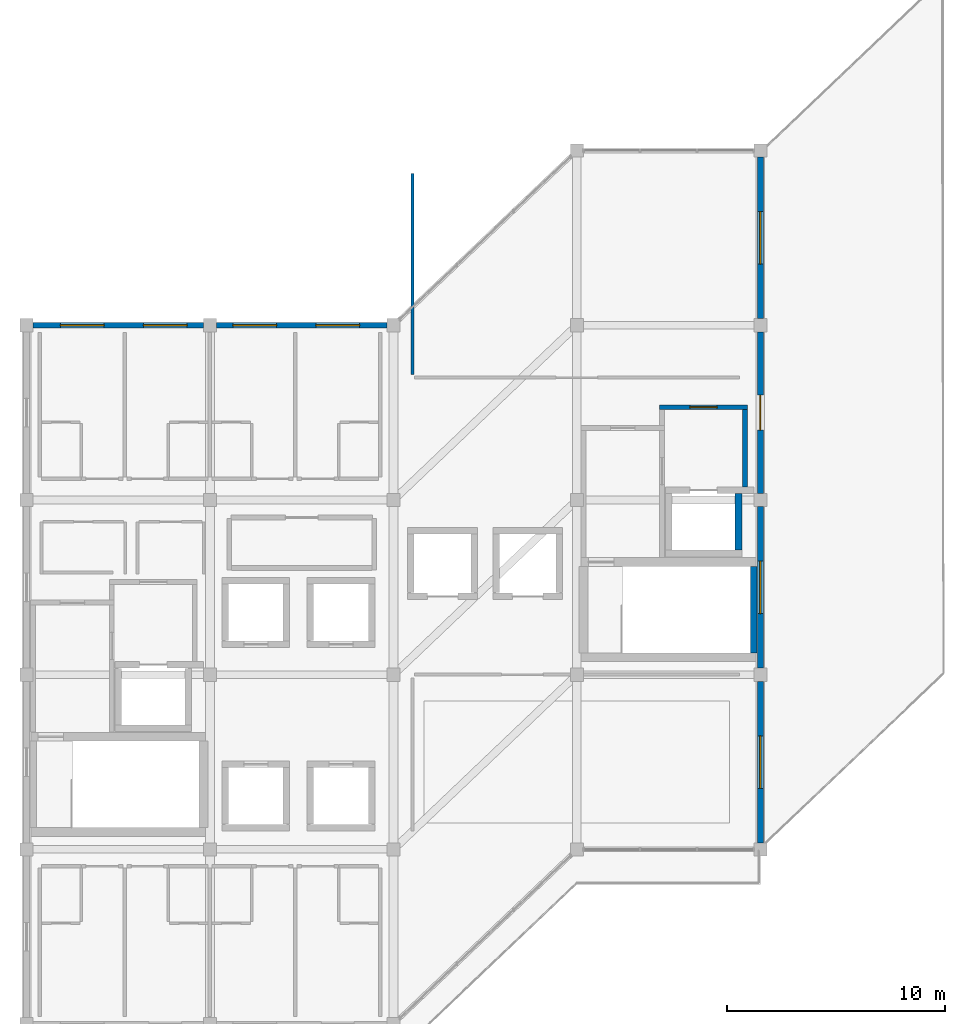
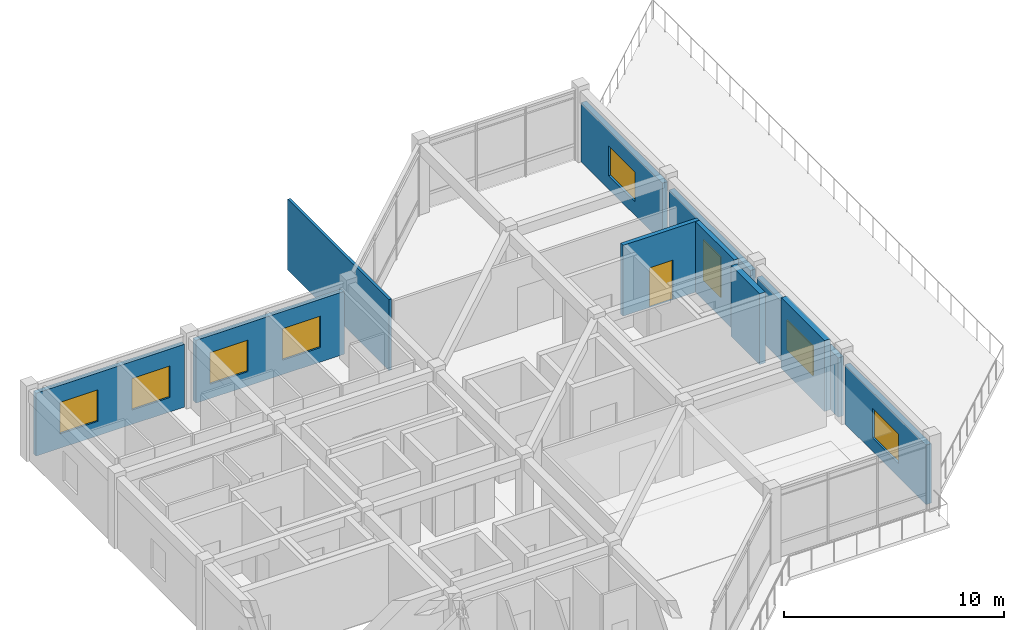
# One storey, part 10 of 11: 11 walls, 7 windows, 2 doors, 9 openings.
"""IFC4 building model written with IfcOpenShell, lengths in metres."""

from ifc_helpers import new_model, si_unit, direction, frame, frame_2d, origin, place, context, subcontext, project, spatial, rectangle, extrude, material, layer, layer_set, type_object, element, fill, save


model = new_model("IFC4")

# Units and contexts
model_context = context("Model", 3, precision=1e-05, world=origin(), true_north=direction((0.0, 1.0)))
body_context = subcontext(model_context, "Body", "Model", "MODEL_VIEW")
ifc_project = project(units=[si_unit("LENGTHUNIT", "METRE"), si_unit("AREAUNIT", "SQUARE_METRE"), si_unit("VOLUMEUNIT", "CUBIC_METRE"), si_unit("PLANEANGLEUNIT", "RADIAN"), si_unit("MASSUNIT", "GRAM", prefix="KILO")], contexts=[model_context])

# Site, building, storey
site_placement = place(None, origin())
site = spatial("IfcSite", under=ifc_project, at=site_placement, CompositionType="ELEMENT")
building_placement = place(site_placement, origin())
building = spatial("IfcBuilding", under=site, at=building_placement, Name="Naruveol Harbour Congress Hotel", CompositionType="ELEMENT")
storey_placement = place(building_placement, frame((0.0, 0.0, 47.39990234375)))
storey = spatial("IfcBuildingStorey", under=building, at=storey_placement, Name="L11", CompositionType="ELEMENT", Elevation=47.39990234375)

# Wall
ifc_material_1 = material(Name="Acoustic Double Stud Gypsum", Category="gypsum")
ifc_layer_1 = layer(ifc_material_1, 0.139892578125)
ifc_layer_set_1 = layer_set([ifc_layer_1], Name="Acoustic Double Stud Gypsum")
wall_type_1 = type_object("IfcWallType", Name="ACOUSTIC MEETING PARTITION WALL 140", PredefinedType="PARTITIONING", material=ifc_layer_set_1)
wall_1_placement = place(storey_placement, frame((143.679931640625, 29.739990234375, 0.0), z_axis=(0.0, 0.0, 1.0), x_axis=(0.0, 1.0, 0.0)))
element("IfcWall", 1, at=wall_1_placement, inside=storey, type_object=wall_type_1, Name="Harbour Sky Cocktail Lounge west partition PW-140", PredefinedType="PARTITIONING", context=body_context, shape_type="SweptSolid", body=[
    extrude(rectangle(XDim=9.2099609375, YDim=0.139892578125, at=frame_2d((4.60498046875, 0.0))), origin(), (0.0, 0.0, 1.0), 3.93505859375),
])

# Wall, opening, window
ifc_material_2 = material(Name="Precast concrete C40/50", Category="concrete")
ifc_layer_2 = layer(ifc_material_2, 0.280029296875)
ifc_layer_set_2 = layer_set([ifc_layer_2], Name="Precast concrete C40/50")
wall_type_2 = type_object("IfcWallType", Name="ARCHITECTURAL PRECAST FACADE WALL 280", PredefinedType="SOLIDWALL", material=ifc_layer_set_2)
wall_2_placement = place(storey_placement, frame((159.60009765625, 39.699951171875, 0.0), z_axis=(0.0, 0.0, 1.0), x_axis=(0.0, -1.0, 0.0)))
wall_2 = element("IfcWall", 2, at=wall_2_placement, inside=storey, type_object=wall_type_2, Name="Hotel east gable wall L11 EW-280", PredefinedType="SOLIDWALL", context=body_context, shape_type="SweptSolid", body=[
    extrude(rectangle(XDim=7.39990234375, YDim=0.280029296875, at=frame_2d((3.699951171875, 0.0))), origin(), (0.0, 0.0, 1.0), 3.300048828125),
])
opening_1_placement = place(wall_2_placement, frame((2.5, 0.0, 0.75)))
opening_1 = element("IfcOpeningElement", 3, at=opening_1_placement, cuts=wall_2, Name="Opening W-07", PredefinedType="OPENING", context=body_context, shape_type="SweptSolid", body=[
    extrude(rectangle(XDim=2.39990234375, YDim=1.64990234375, at=frame_2d((1.199951171875, 0.824951171875))), frame((0.0, 0.14990234375, 0.0), z_axis=(0.0, -1.0, 0.0), x_axis=(1.0, 0.0, 0.0)), (0.0, 0.0, 1.0), 0.300048828125),
])
ifc_material_3 = material(Name="Low-E Triple Glazing in Thermal Aluminium", Category="aluminium")
window_type_1 = type_object("IfcWindowType", Name="CORNER SUITE WINDOW 2400X1650", PartitioningType="DOUBLE_PANEL_VERTICAL", PredefinedType="WINDOW", material=ifc_material_3)
window_1_placement = place(opening_1_placement, origin())
window_1 = element("IfcWindow", 4, at=window_1_placement, inside=storey, type_object=window_type_1, Name="Window W-07 #511", OverallHeight=1.64990234375, OverallWidth=2.39990234375, PartitioningType="DOUBLE_PANEL_VERTICAL", PredefinedType="WINDOW", context=body_context, shape_type="SweptSolid", body=[
    extrude(rectangle(XDim=2.39990234375, YDim=1.64990234375, at=frame_2d((1.199951171875, 0.824951171875))), frame((0.0, 0.030029296875, 0.0), z_axis=(0.0, -1.0, 0.0), x_axis=(1.0, 0.0, 0.0)), (0.0, 0.0, 1.0), 0.06005859375),
])
fill(opening_1, window_1)

# Wall, opening, door
wall_3_placement = place(storey_placement, frame((159.60009765625, 31.699951171875, 0.0), z_axis=(0.0, 0.0, 1.0), x_axis=(0.0, -1.0, 0.0)))
wall_3 = element("IfcWall", 5, at=wall_3_placement, inside=storey, type_object=wall_type_2, Name="Hotel east gable wall L11 EW-280", PredefinedType="SOLIDWALL", context=body_context, shape_type="SweptSolid", body=[
    extrude(rectangle(XDim=7.39990234375, YDim=0.280029296875, at=frame_2d((3.699951171875, 0.0))), origin(), (0.0, 0.0, 1.0), 3.300048828125),
])
opening_2_placement = place(wall_3_placement, frame((2.89990234375, 0.0, 0.0)))
opening_2 = element("IfcOpeningElement", 6, at=opening_2_placement, cuts=wall_3, Name="Opening ED-TE-L11", PredefinedType="OPENING", context=body_context, shape_type="SweptSolid", body=[
    extrude(rectangle(XDim=1.60009765625, YDim=2.25, at=frame_2d((0.800048828125, 1.125))), frame((0.0, 0.14990234375, 0.0), z_axis=(0.0, -1.0, 0.0), x_axis=(1.0, 0.0, 0.0)), (0.0, 0.0, 1.0), 0.300048828125),
])
ifc_material_4 = material(Name="Powder-Coated Steel & Insulated Glazing", Category="steel")
door_type_1 = type_object("IfcDoorType", Name="HARBOUR GARDEN TERRACE DOOR 1600X2250", OperationType="DOUBLE_DOOR_SINGLE_SWING", PredefinedType="DOOR", material=ifc_material_4)
door_1_placement = place(opening_2_placement, origin())
door_1 = element("IfcDoor", 7, at=door_1_placement, inside=storey, type_object=door_type_1, Name="L11 East Harbour Terrace Door", OperationType="DOUBLE_DOOR_SINGLE_SWING", OverallHeight=2.25, OverallWidth=1.60009765625, PredefinedType="DOOR", context=body_context, shape_type="SweptSolid", body=[
    extrude(rectangle(XDim=1.60009765625, YDim=2.25, at=frame_2d((0.800048828125, 1.125))), frame((0.0, 0.02490234375, 0.0), z_axis=(0.0, -1.0, 0.0), x_axis=(1.0, 0.0, 0.0)), (0.0, 0.0, 1.0), 0.050048828125),
])
fill(opening_2, door_1)

# Wall, opening, window
wall_4_placement = place(storey_placement, frame((159.60009765625, 23.699951171875, 0.0), z_axis=(0.0, 0.0, 1.0), x_axis=(0.0, -1.0, 0.0)))
wall_4 = element("IfcWall", 8, at=wall_4_placement, inside=storey, type_object=wall_type_2, Name="Hotel east gable wall L11 EW-280", PredefinedType="SOLIDWALL", context=body_context, shape_type="SweptSolid", body=[
    extrude(rectangle(XDim=7.39990234375, YDim=0.280029296875, at=frame_2d((3.699951171875, 0.0))), origin(), (0.0, 0.0, 1.0), 3.300048828125),
])
opening_3_placement = place(wall_4_placement, frame((2.5, 0.0, 0.75)))
opening_3 = element("IfcOpeningElement", 9, at=opening_3_placement, cuts=wall_4, Name="Opening W-07", PredefinedType="OPENING", context=body_context, shape_type="SweptSolid", body=[
    extrude(rectangle(XDim=2.39990234375, YDim=1.64990234375, at=frame_2d((1.199951171875, 0.824951171875))), frame((0.0, 0.14990234375, 0.0), z_axis=(0.0, -1.0, 0.0), x_axis=(1.0, 0.0, 0.0)), (0.0, 0.0, 1.0), 0.300048828125),
])
window_2_placement = place(opening_3_placement, origin())
window_2 = element("IfcWindow", 10, at=window_2_placement, inside=storey, type_object=window_type_1, Name="Window W-07 #512", OverallHeight=1.64990234375, OverallWidth=2.39990234375, PartitioningType="DOUBLE_PANEL_VERTICAL", PredefinedType="WINDOW", context=body_context, shape_type="SweptSolid", body=[
    extrude(rectangle(XDim=2.39990234375, YDim=1.64990234375, at=frame_2d((1.199951171875, 0.824951171875))), frame((0.0, 0.030029296875, 0.0), z_axis=(0.0, -1.0, 0.0), x_axis=(1.0, 0.0, 0.0)), (0.0, 0.0, 1.0), 0.06005859375),
])
fill(opening_3, window_2)

wall_5_placement = place(storey_placement, frame((159.60009765625, 15.699951171875, 0.0), z_axis=(0.0, 0.0, 1.0), x_axis=(0.0, -1.0, 0.0)))
wall_5 = element("IfcWall", 11, at=wall_5_placement, inside=storey, type_object=wall_type_2, Name="Hotel east gable wall L11 EW-280", PredefinedType="SOLIDWALL", context=body_context, shape_type="SweptSolid", body=[
    extrude(rectangle(XDim=7.39990234375, YDim=0.280029296875, at=frame_2d((3.699951171875, 0.0))), origin(), (0.0, 0.0, 1.0), 3.300048828125),
])
opening_4_placement = place(wall_5_placement, frame((2.5, 0.0, 0.75)))
opening_4 = element("IfcOpeningElement", 12, at=opening_4_placement, cuts=wall_5, Name="Opening W-07", PredefinedType="OPENING", context=body_context, shape_type="SweptSolid", body=[
    extrude(rectangle(XDim=2.39990234375, YDim=1.64990234375, at=frame_2d((1.199951171875, 0.824951171875))), frame((0.0, 0.14990234375, 0.0), z_axis=(0.0, -1.0, 0.0), x_axis=(1.0, 0.0, 0.0)), (0.0, 0.0, 1.0), 0.300048828125),
])
window_3_placement = place(opening_4_placement, origin())
window_3 = element("IfcWindow", 13, at=window_3_placement, inside=storey, type_object=window_type_1, Name="Window W-07 #513", OverallHeight=1.64990234375, OverallWidth=2.39990234375, PartitioningType="DOUBLE_PANEL_VERTICAL", PredefinedType="WINDOW", context=body_context, shape_type="SweptSolid", body=[
    extrude(rectangle(XDim=2.39990234375, YDim=1.64990234375, at=frame_2d((1.199951171875, 0.824951171875))), frame((0.0, 0.030029296875, 0.0), z_axis=(0.0, -1.0, 0.0), x_axis=(1.0, 0.0, 0.0)), (0.0, 0.0, 1.0), 0.06005859375),
])
fill(opening_4, window_3)

# Wall
ifc_material_5 = material(Name="Concrete C40/50", Category="concrete")
ifc_layer_3 = layer(ifc_material_5, 0.219970703125)
ifc_layer_set_3 = layer_set([ifc_layer_3], Name="Concrete C40/50")
wall_type_3 = type_object("IfcWallType", Name="FIRE COMPARTMENT AND LOBBY WALL 220 EI120", PredefinedType="PARTITIONING", material=ifc_layer_set_3)
wall_6_placement = place(storey_placement, frame((158.89990234375, 24.60498046875, 0.0), z_axis=(0.0, 0.0, 1.0), x_axis=(0.0, 1.0, 0.0)))
element("IfcWall", 14, at=wall_6_placement, inside=storey, type_object=wall_type_3, Name="Firefighting lift lobby ST2 east wall FW-220", PredefinedType="PARTITIONING", context=body_context, shape_type="SweptSolid", body=[
    extrude(rectangle(XDim=3.530029296875, YDim=0.219970703125, at=frame_2d((1.76513671875, 0.0))), origin(), (0.0, 0.0, 1.0), 3.93505859375),
])

# Wall, opening, door
wall_7_placement = place(storey_placement, frame((154.989990234375, 28.25, 0.0), z_axis=(0.0, 0.0, 1.0), x_axis=(1.0, 0.0, 0.0)))
wall_7 = element("IfcWall", 15, at=wall_7_placement, inside=storey, type_object=wall_type_3, Name="Firefighting lift lobby ST2 north wall FW-220", PredefinedType="PARTITIONING", context=body_context, shape_type="SweptSolid", body=[
    extrude(rectangle(XDim=4.02001953125, YDim=0.219970703125, at=frame_2d((2.010009765625, 0.0))), origin(), (0.0, 0.0, 1.0), 3.93505859375),
])
opening_5_placement = place(wall_7_placement, frame((1.389892578125, 0.0, 0.0)))
opening_5 = element("IfcOpeningElement", 16, at=opening_5_placement, cuts=wall_7, Name="Opening FD-FFC-ST2-L11", PredefinedType="OPENING", context=body_context, shape_type="SweptSolid", body=[
    extrude(rectangle(XDim=1.239990234375, YDim=2.199951171875, at=frame_2d((0.6201171875, 1.10009765625))), frame((0.0, 0.119873046875, 0.0), z_axis=(0.0, -1.0, 0.0), x_axis=(1.0, 0.0, 0.0)), (0.0, 0.0, 1.0), 0.239990234375),
])
ifc_material_6 = material(Name="Timber & Steel Acoustic Leaf", Category="steel")
door_type_2 = type_object("IfcDoorType", Name="FIREFIGHTING LOBBY FIRE DOOR 1240X2200", OperationType="NOTDEFINED", PredefinedType="DOOR", material=ifc_material_6)
door_2_placement = place(opening_5_placement, origin())
door_2 = element("IfcDoor", 17, at=door_2_placement, inside=storey, type_object=door_type_2, Name="Firefighting Lobby Corridor Door ST2 L11", OperationType="SINGLE_SWING_LEFT", OverallHeight=2.199951171875, OverallWidth=1.239990234375, PredefinedType="DOOR", context=body_context, shape_type="SweptSolid", body=[
    extrude(rectangle(XDim=1.239990234375, YDim=2.199951171875, at=frame_2d((0.6201171875, 1.10009765625))), frame((0.0, 0.02490234375, 0.0), z_axis=(0.0, -1.0, 0.0), x_axis=(1.0, 0.0, 0.0)), (0.0, 0.0, 1.0), 0.050048828125),
])
fill(opening_5, door_2)

# Wall, openings, windows
ifc_material_7 = material(Name="Concrete C40/50", Category="concrete")
ifc_layer_4 = layer(ifc_material_7, 0.239990234375)
ifc_layer_set_4 = layer_set([ifc_layer_4], Name="Concrete C40/50")
wall_type_4 = type_object("IfcWallType", Name="INSULATED HOTEL SPANDREL WALL 240", PredefinedType="SOLIDWALL", material=ifc_layer_set_4)
wall_8_placement = place(storey_placement, frame((126.300048828125, 32.0, 0.0), z_axis=(0.0, 0.0, 1.0), x_axis=(1.0, 0.0, 0.0)))
wall_8 = element("IfcWall", 18, at=wall_8_placement, inside=storey, type_object=wall_type_4, Name="Hotel north bay wall L11 EW-240", PredefinedType="SOLIDWALL", context=body_context, shape_type="SweptSolid", body=[
    extrude(rectangle(XDim=7.800048828125, YDim=0.239990234375, at=frame_2d((3.89990234375, 0.0))), origin(), (0.0, 0.0, 1.0), 3.489990234375),
])
opening_6_placement = place(wall_8_placement, frame((1.25, 0.0, 0.800048828125)))
opening_6 = element("IfcOpeningElement", 19, at=opening_6_placement, cuts=wall_8, Name="Opening W-05", PredefinedType="OPENING", context=body_context, shape_type="SweptSolid", body=[
    extrude(rectangle(XDim=2.0, YDim=1.75, at=frame_2d((1.0, 0.875))), frame((0.0, 0.1298828125, 0.0), z_axis=(0.0, -1.0, 0.0), x_axis=(1.0, 0.0, 0.0)), (0.0, 0.0, 1.0), 0.260009765625),
])
opening_7_placement = place(wall_8_placement, frame((5.050048828125, 0.0, 0.800048828125)))
opening_7 = element("IfcOpeningElement", 20, at=opening_7_placement, cuts=wall_8, Name="Opening W-05", PredefinedType="OPENING", context=body_context, shape_type="SweptSolid", body=[
    extrude(rectangle(XDim=2.0, YDim=1.75, at=frame_2d((1.0, 0.875))), frame((0.0, 0.1298828125, 0.0), z_axis=(0.0, -1.0, 0.0), x_axis=(1.0, 0.0, 0.0)), (0.0, 0.0, 1.0), 0.260009765625),
])
ifc_material_8 = material(Name="Low-E Triple Glazing in Thermal Aluminium", Category="aluminium")
window_type_2 = type_object("IfcWindowType", Name="GARDEN SUITE WINDOW 2000X1750", PartitioningType="DOUBLE_PANEL_VERTICAL", PredefinedType="WINDOW", material=ifc_material_8)
window_4_placement = place(opening_6_placement, origin())
window_4 = element("IfcWindow", 21, at=window_4_placement, inside=storey, type_object=window_type_2, Name="Window W-05 #506", OverallHeight=1.75, OverallWidth=2.0, PartitioningType="DOUBLE_PANEL_VERTICAL", PredefinedType="WINDOW", context=body_context, shape_type="SweptSolid", body=[
    extrude(rectangle(XDim=2.0, YDim=1.75, at=frame_2d((1.0, 0.875))), frame((0.0, 0.030029296875, 0.0), z_axis=(0.0, -1.0, 0.0), x_axis=(1.0, 0.0, 0.0)), (0.0, 0.0, 1.0), 0.06005859375),
])
fill(opening_6, window_4)
window_5_placement = place(opening_7_placement, origin())
window_5 = element("IfcWindow", 22, at=window_5_placement, inside=storey, type_object=window_type_2, Name="Window W-05 #507", OverallHeight=1.75, OverallWidth=2.0, PartitioningType="DOUBLE_PANEL_VERTICAL", PredefinedType="WINDOW", context=body_context, shape_type="SweptSolid", body=[
    extrude(rectangle(XDim=2.0, YDim=1.75, at=frame_2d((1.0, 0.875))), frame((0.0, 0.030029296875, 0.0), z_axis=(0.0, -1.0, 0.0), x_axis=(1.0, 0.0, 0.0)), (0.0, 0.0, 1.0), 0.06005859375),
])
fill(opening_7, window_5)

wall_9_placement = place(storey_placement, frame((134.699951171875, 32.0, 0.0), z_axis=(0.0, 0.0, 1.0), x_axis=(1.0, 0.0, 0.0)))
wall_9 = element("IfcWall", 23, at=wall_9_placement, inside=storey, type_object=wall_type_4, Name="Hotel north bay wall L11 EW-240", PredefinedType="SOLIDWALL", context=body_context, shape_type="SweptSolid", body=[
    extrude(rectangle(XDim=7.800048828125, YDim=0.239990234375, at=frame_2d((3.89990234375, 0.0))), origin(), (0.0, 0.0, 1.0), 3.489990234375),
])
opening_8_placement = place(wall_9_placement, frame((0.75, 0.0, 0.800048828125)))
opening_8 = element("IfcOpeningElement", 24, at=opening_8_placement, cuts=wall_9, Name="Opening W-05", PredefinedType="OPENING", context=body_context, shape_type="SweptSolid", body=[
    extrude(rectangle(XDim=2.0, YDim=1.75, at=frame_2d((1.0, 0.875))), frame((0.0, 0.1298828125, 0.0), z_axis=(0.0, -1.0, 0.0), x_axis=(1.0, 0.0, 0.0)), (0.0, 0.0, 1.0), 0.260009765625),
])
opening_9_placement = place(wall_9_placement, frame((4.550048828125, 0.0, 0.800048828125)))
opening_9 = element("IfcOpeningElement", 25, at=opening_9_placement, cuts=wall_9, Name="Opening W-05", PredefinedType="OPENING", context=body_context, shape_type="SweptSolid", body=[
    extrude(rectangle(XDim=2.0, YDim=1.75, at=frame_2d((1.0, 0.875))), frame((0.0, 0.1298828125, 0.0), z_axis=(0.0, -1.0, 0.0), x_axis=(1.0, 0.0, 0.0)), (0.0, 0.0, 1.0), 0.260009765625),
])
window_6_placement = place(opening_8_placement, origin())
window_6 = element("IfcWindow", 26, at=window_6_placement, inside=storey, type_object=window_type_2, Name="Window W-05 #509", OverallHeight=1.75, OverallWidth=2.0, PartitioningType="DOUBLE_PANEL_VERTICAL", PredefinedType="WINDOW", context=body_context, shape_type="SweptSolid", body=[
    extrude(rectangle(XDim=2.0, YDim=1.75, at=frame_2d((1.0, 0.875))), frame((0.0, 0.030029296875, 0.0), z_axis=(0.0, -1.0, 0.0), x_axis=(1.0, 0.0, 0.0)), (0.0, 0.0, 1.0), 0.06005859375),
])
fill(opening_8, window_6)
window_7_placement = place(opening_9_placement, origin())
window_7 = element("IfcWindow", 27, at=window_7_placement, inside=storey, type_object=window_type_2, Name="Window W-05 #510", OverallHeight=1.75, OverallWidth=2.0, PartitioningType="DOUBLE_PANEL_VERTICAL", PredefinedType="WINDOW", context=body_context, shape_type="SweptSolid", body=[
    extrude(rectangle(XDim=2.0, YDim=1.75, at=frame_2d((1.0, 0.875))), frame((0.0, 0.030029296875, 0.0), z_axis=(0.0, -1.0, 0.0), x_axis=(1.0, 0.0, 0.0)), (0.0, 0.0, 1.0), 0.06005859375),
])
fill(opening_9, window_7)

# Walls
ifc_material_9 = material(Name="Concrete C50/60", Category="concrete")
ifc_layer_5 = layer(ifc_material_9, 0.300048828125)
ifc_layer_set_5 = layer_set([ifc_layer_5], Name="Concrete C50/60")
wall_type_5 = type_object("IfcWallType", Name="RC STAIR AND HOISTWAY SHEAR WALL 300 EI120", PredefinedType="SHEAR", material=ifc_layer_set_5)
wall_10_placement = place(storey_placement, frame((158.60009765625, 21.705078125, 0.0), z_axis=(0.0, 0.0, 1.0), x_axis=(0.0, 1.0, 0.0)))
element("IfcWall", 28, at=wall_10_placement, inside=storey, type_object=wall_type_5, Name="Hoistway east shear wall FL2 SW-300", PredefinedType="SHEAR", context=body_context, shape_type="SweptSolid", body=[
    extrude(rectangle(XDim=2.58984375, YDim=0.300048828125, at=frame_2d((1.294921875, 0.0))), origin(), (0.0, 0.0, 1.0), 3.93505859375),
])
wall_11_placement = place(storey_placement, frame((159.300048828125, 17.0048828125, 0.0), z_axis=(0.0, 0.0, 1.0), x_axis=(0.0, 1.0, 0.0)))
element("IfcWall", 29, at=wall_11_placement, inside=storey, type_object=wall_type_5, Name="Stair ST2 east core wall SW-300", PredefinedType="SHEAR", context=body_context, shape_type="SweptSolid", body=[
    extrude(rectangle(XDim=3.9501953125, YDim=0.300048828125, at=frame_2d((1.97509765625, 0.0))), origin(), (0.0, 0.0, 1.0), 3.93505859375),
])

save(model, "model.ifc")
